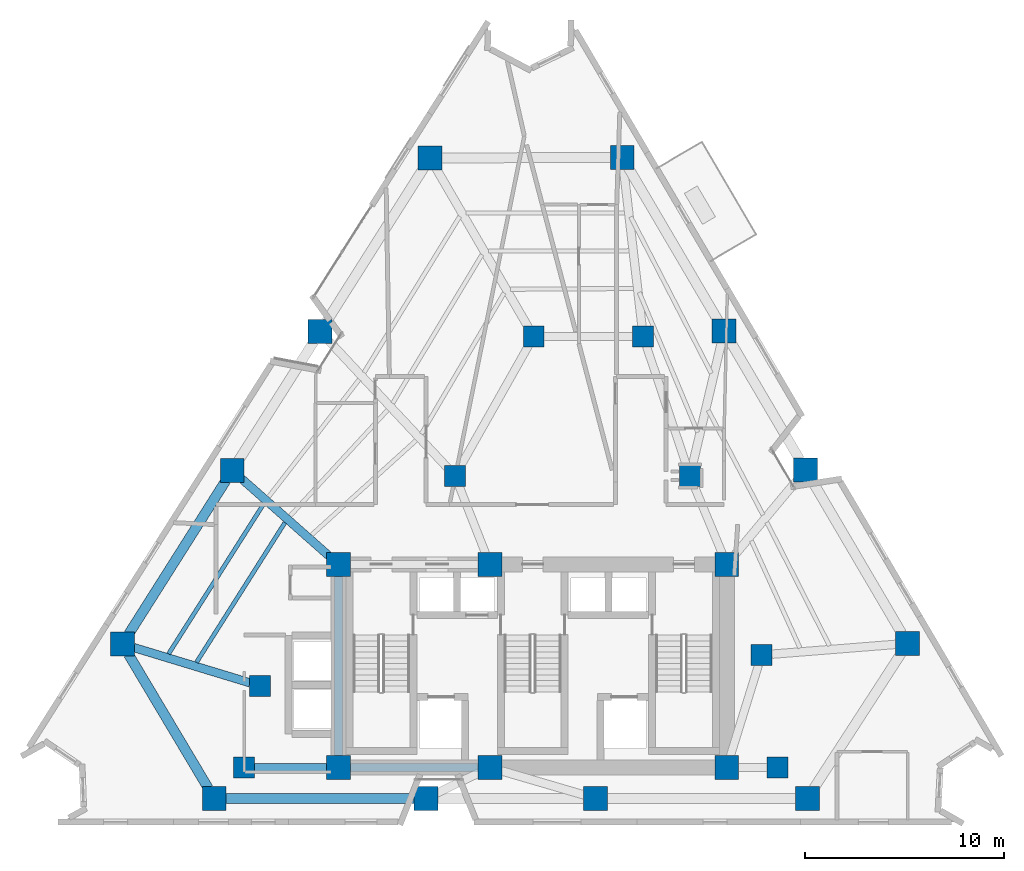
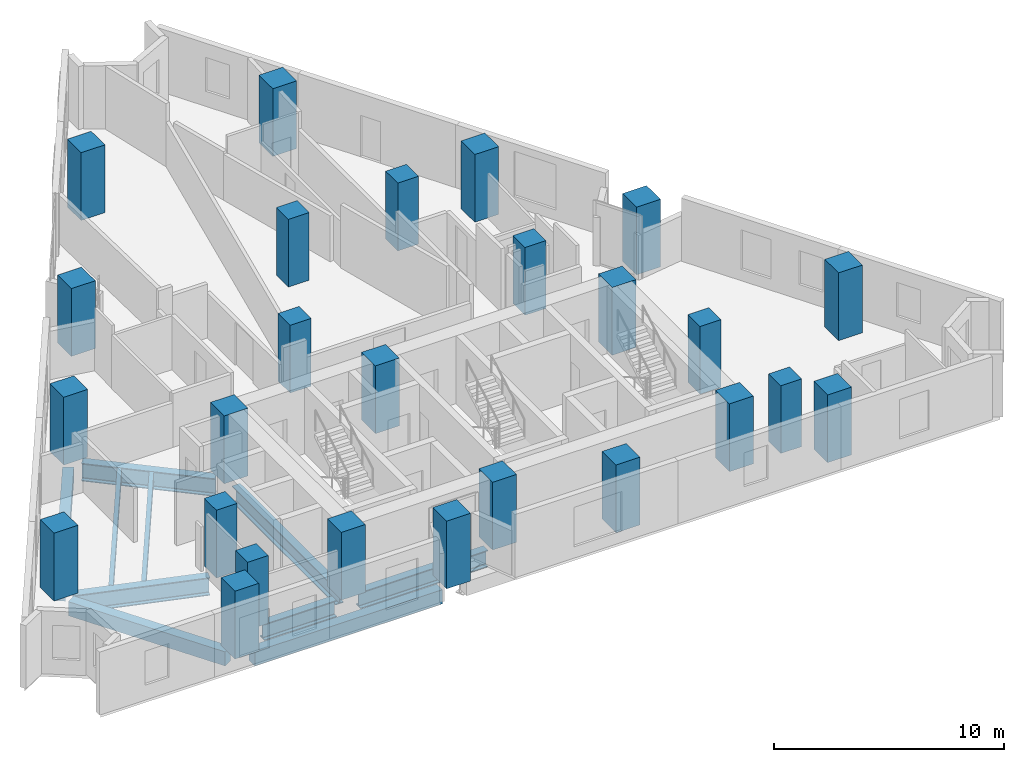
# One storey, part 1 of 11: 26 columns, 10 beams.
"""IFC4 building model written with IfcOpenShell, lengths in metres."""

from ifc_helpers import new_model, si_unit, direction, frame, origin, origin_2d, place, context, subcontext, project, spatial, rectangle, i_section, extrude, material, material_profile, profile_set, type_object, element, save


model = new_model("IFC4")

# Units and contexts
model_context = context("Model", 3, precision=1e-05, world=origin(), true_north=direction((0.0, 1.0)))
body_context = subcontext(model_context, "Body", "Model", "MODEL_VIEW")
ifc_project = project(units=[si_unit("LENGTHUNIT", "METRE"), si_unit("AREAUNIT", "SQUARE_METRE"), si_unit("VOLUMEUNIT", "CUBIC_METRE"), si_unit("PLANEANGLEUNIT", "RADIAN"), si_unit("MASSUNIT", "GRAM", prefix="KILO")], contexts=[model_context])

# Site, building, storey
site_placement = place(None, origin())
site = spatial("IfcSite", under=ifc_project, at=site_placement, CompositionType="ELEMENT")
building_placement = place(site_placement, origin())
building = spatial("IfcBuilding", under=site, at=building_placement, Name="Almagre Mirador Tower", CompositionType="ELEMENT")
storey_placement = place(building_placement, frame((0.0, 0.0, 124.800048828125)))
storey = spatial("IfcBuildingStorey", under=building, at=storey_placement, Name="L31", CompositionType="ELEMENT", Elevation=124.800048828125)

# Columns
ifc_material_1 = material(Name="Concrete C60/75", Category="concrete")
ifc_material_profile_1 = material_profile(ifc_material_1, rectangle(XDim=1.050048828125, YDim=1.050048828125, at=origin_2d()), Name="RC1050X1050")
ifc_profile_set_1 = profile_set([ifc_material_profile_1], Name="Concrete C60/75")
column_type_1 = type_object("IfcColumnType", Name="COL-RC1050", PredefinedType="COLUMN", material=ifc_profile_set_1)
for number, where, z_axis, x_axis, name in (
    (1, (22.800048828125, 4.550048828125, 0.0), (0.0, 0.0, 1.0), (1.0, 0.0, 0.0), "L31 interior transfer column MC1"),
    (2, (49.60009765625, 4.550048828125, 0.0), (0.0, 0.0, 1.0), (1.0, 0.0, 0.0), "L31 interior transfer column MC2"),
    (3, (48.800048828125, 10.199951171875, 0.0), (0.0, 0.0, 1.0), (1.0, 0.0, 0.0), "L31 interior transfer column MC3"),
    (4, (45.199951171875, 19.199951171875, 0.0), (0.0, 0.0, 1.0), (1.0, 0.0, 0.0), "L31 interior transfer column MC5"),
    (5, (42.85009765625, 26.199951171875, 0.0), (0.0, 0.0, 1.0), (1.0, 0.0, 0.0), "L31 interior transfer column MC6"),
    (6, (37.35009765625, 26.199951171875, 0.0), (0.0, 0.0, 1.0), (1.0, 0.0, 0.0), "L31 interior transfer column MC7"),
    (7, (33.39990234375, 19.199951171875, 0.0), (0.0, 0.0, 1.0), (1.0, 0.0, 0.0), "L31 interior transfer column MC8"),
    (8, (23.60009765625, 8.64990234375, 0.0), (0.0, 0.0, 1.0), (1.0, 0.0, 0.0), "L31 interior transfer column MC10"),
):
    element("IfcColumn", number, at=place(storey_placement, frame(where, z_axis=z_axis, x_axis=x_axis)), inside=storey, type_object=column_type_1, Name=name, PredefinedType="COLUMN", context=body_context, shape_type="SweptSolid", body=[
        extrude(rectangle(XDim=1.050048828125, YDim=1.050048828125, at=origin_2d()), origin(), (0.0, 0.0, 1.0), 3.599853515625),
    ])
ifc_material_2 = material(Name="Concrete C60/75", Category="concrete")
ifc_material_profile_2 = material_profile(ifc_material_2, rectangle(XDim=1.199951171875, YDim=1.199951171875, at=origin_2d()), Name="RC1200X1200")
ifc_profile_set_2 = profile_set([ifc_material_profile_2], Name="Concrete C60/75")
column_type_2 = type_object("IfcColumnType", Name="COL-RC1200", PredefinedType="COLUMN", material=ifc_profile_set_2)
for number, where, z_axis, x_axis, name in (
    (9, (27.550048828125, 4.550048828125, 0.0), (0.0, 0.0, 1.0), (1.0, 0.0, 0.0), "L31 core spine column CC1"),
    (10, (35.14990234375, 4.550048828125, 0.0), (0.0, 0.0, 1.0), (1.0, 0.0, 0.0), "L31 core spine column CC2"),
    (11, (47.050048828125, 4.550048828125, 0.0), (0.0, 0.0, 1.0), (1.0, 0.0, 0.0), "L31 core spine column CC3"),
    (12, (27.550048828125, 14.75, 0.0), (0.0, 0.0, 1.0), (1.0, 0.0, 0.0), "L31 core spine column CC4"),
    (13, (35.14990234375, 14.75, 0.0), (0.0, 0.0, 1.0), (1.0, 0.0, 0.0), "L31 core spine column CC5"),
    (14, (47.050048828125, 14.75, 0.0), (0.0, 0.0, 1.0), (1.0, 0.0, 0.0), "L31 core spine column CC6"),
    (15, (21.303955078125, 3.0, 0.0), (0.0, 0.0, 1.0), (1.0, 0.0, 0.0), "L31 perimeter column PC01"),
    (16, (31.944091796875, 3.0, 0.0), (0.0, 0.0, 1.0), (1.0, 0.0, 0.0), "L31 perimeter column PC02"),
    (17, (40.4560546875, 3.0, 0.0), (0.0, 0.0, 1.0), (1.0, 0.0, 0.0), "L31 perimeter column PC03"),
    (18, (51.095947265625, 3.0, 0.0), (0.0, 0.0, 1.0), (1.0, 0.0, 0.0), "L31 perimeter column PC04"),
    (19, (56.133056640625, 10.783935546875, 0.0), (0.0, 0.0, 1.0), (1.0, 0.0, 0.0), "L31 perimeter column PC05"),
    (20, (51.012939453125, 19.50390625, 0.0), (0.0, 0.0, 1.0), (1.0, 0.0, 0.0), "L31 perimeter column PC06"),
    (21, (46.9169921875, 26.47998046875, 0.0), (0.0, 0.0, 1.0), (1.0, 0.0, 0.0), "L31 perimeter column PC07"),
    (22, (41.797119140625, 35.199951171875, 0.0), (0.0, 0.0, 1.0), (1.0, 0.0, 0.0), "L31 perimeter column PC08"),
    (23, (32.14208984375, 35.166015625, 0.0), (0.0, 0.0, 1.0), (1.0, 0.0, 0.0), "L31 perimeter column PC09"),
    (24, (26.6220703125, 26.446044921875, 0.0), (0.0, 0.0, 1.0), (1.0, 0.0, 0.0), "L31 perimeter column PC10"),
    (25, (22.2060546875, 19.469970703125, 0.0), (0.0, 0.0, 1.0), (1.0, 0.0, 0.0), "L31 perimeter column PC11"),
    (26, (16.68603515625, 10.75, 0.0), (0.0, 0.0, 1.0), (1.0, 0.0, 0.0), "L31 perimeter column PC12"),
):
    element("IfcColumn", number, at=place(storey_placement, frame(where, z_axis=z_axis, x_axis=x_axis)), inside=storey, type_object=column_type_2, Name=name, PredefinedType="COLUMN", context=body_context, shape_type="SweptSolid", body=[
        extrude(rectangle(XDim=1.199951171875, YDim=1.199951171875, at=origin_2d()), origin(), (0.0, 0.0, 1.0), 3.599853515625),
    ])

# Beams
ifc_material_3 = material(Name="Steel ASTM A992 Grade 50", Category="steel")
ifc_material_profile_3 = material_profile(ifc_material_3, i_section(OverallWidth=0.208984375, OverallDepth=0.532958984375, WebThickness=0.01025390625, FlangeThickness=0.015625, FilletRadius=0.01806640625, at=origin_2d()), Name="W21X62")
ifc_profile_set_3 = profile_set([ifc_material_profile_3], Name="Steel ASTM A992 Grade 50")
beam_type_1 = type_object("IfcBeamType", Name="BM-JST-W21X62", PredefinedType="JOIST", material=ifc_profile_set_3)
beam_1_placement = place(storey_placement, frame((23.786865234375, 17.794921875, -0.5166015625), z_axis=(-0.535495866199, -0.844537848343, 0.0), x_axis=(0.844537848343, -0.535495866199, 0.0)))
element("IfcBeam", 27, at=beam_1_placement, inside=storey, type_object=beam_type_1, Name="L31 secondary floor joist PC11-PC12.1", PredefinedType="JOIST", context=body_context, shape_type="SweptSolid", body=[
    extrude(i_section(OverallWidth=0.208984375, OverallDepth=0.532958984375, WebThickness=0.01025390625, FlangeThickness=0.015625, FilletRadius=0.01806640625, at=origin_2d()), origin(), (0.0, 0.0, 1.0), 8.924560546875),
])
beam_2_placement = place(storey_placement, frame((24.853759765625, 16.852783203125, -0.5166015625), z_axis=(-0.534944431022, -0.844887244382, 0.0), x_axis=(0.844887244382, -0.534944431022, 0.0)))
element("IfcBeam", 28, at=beam_2_placement, inside=storey, type_object=beam_type_1, Name="L31 secondary floor joist PC11-PC12.2", PredefinedType="JOIST", context=body_context, shape_type="SweptSolid", body=[
    extrude(i_section(OverallWidth=0.208984375, OverallDepth=0.532958984375, WebThickness=0.01025390625, FlangeThickness=0.015625, FilletRadius=0.01806640625, at=origin_2d()), origin(), (0.0, 0.0, 1.0), 8.309326171875),
])
ifc_material_4 = material(Name="Precast concrete C50/60", Category="concrete")
ifc_material_profile_4 = material_profile(ifc_material_4, rectangle(XDim=0.5, YDim=0.75, at=origin_2d()), Name="RC500X750")
ifc_profile_set_4 = profile_set([ifc_material_profile_4], Name="Precast concrete C50/60")
beam_type_2 = type_object("IfcBeamType", Name="BM-SPN-RC500X750", PredefinedType="SPANDREL", material=ifc_profile_set_4)
beam_3_placement = place(storey_placement, frame((21.904052734375, 3.0, -0.625), z_axis=(1.0, 0.0, 0.0), x_axis=(0.0, 1.0, 0.0)))
element("IfcBeam", 29, at=beam_3_placement, inside=storey, type_object=beam_type_2, Name="L31 perimeter spandrel beam PC01-PC02", PredefinedType="SPANDREL", context=body_context, shape_type="SweptSolid", body=[
    extrude(rectangle(XDim=0.5, YDim=0.75, at=origin_2d()), origin(), (0.0, 0.0, 1.0), 9.43994140625),
])
beam_4_placement = place(storey_placement, frame((21.885009765625, 18.962890625, -0.625), z_axis=(-0.534882027559, -0.844926752207, 0.0), x_axis=(0.844926752207, -0.534882027559, 0.0)))
element("IfcBeam", 30, at=beam_4_placement, inside=storey, type_object=beam_type_2, Name="L31 perimeter spandrel beam PC11-PC12", PredefinedType="SPANDREL", context=body_context, shape_type="SweptSolid", body=[
    extrude(rectangle(XDim=0.5, YDim=0.75, at=origin_2d()), origin(), (0.0, 0.0, 1.0), 9.1201171875),
])
beam_5_placement = place(storey_placement, frame((16.9931640625, 10.234619140625, -0.625), z_axis=(0.511872325073, -0.85906153611, 0.0), x_axis=(0.85906153611, 0.511872325073, 0.0)))
element("IfcBeam", 31, at=beam_5_placement, inside=storey, type_object=beam_type_2, Name="L31 perimeter spandrel beam PC12-PC01", PredefinedType="SPANDREL", context=body_context, shape_type="SweptSolid", body=[
    extrude(rectangle(XDim=0.5, YDim=0.75, at=origin_2d()), origin(), (0.0, 0.0, 1.0), 7.821533203125),
])
ifc_material_5 = material(Name="Steel ASTM A992 Grade 50", Category="steel")
ifc_material_profile_5 = material_profile(ifc_material_5, i_section(OverallWidth=0.404052734375, OverallDepth=0.884033203125, WebThickness=0.0244140625, FlangeThickness=0.0439453125, FilletRadius=0.02490234375, at=origin_2d()), Name="W33X291")
ifc_profile_set_5 = profile_set([ifc_material_profile_5], Name="Steel ASTM A992 Grade 50")
beam_type_3 = type_object("IfcBeamType", Name="BM-STL-W33X291", PredefinedType="BEAM", material=ifc_profile_set_5)
beam_6_placement = place(storey_placement, frame((28.14990234375, 4.550048828125, -0.692138671875), z_axis=(1.0, 0.0, 0.0), x_axis=(0.0, 1.0, 0.0)))
element("IfcBeam", 32, at=beam_6_placement, inside=storey, type_object=beam_type_3, Name="L31 core tie girder CC1-CC2", PredefinedType="BEAM", context=body_context, shape_type="SweptSolid", body=[
    extrude(i_section(OverallWidth=0.404052734375, OverallDepth=0.884033203125, WebThickness=0.0244140625, FlangeThickness=0.0439453125, FilletRadius=0.02490234375, at=origin_2d()), origin(), (0.0, 0.0, 1.0), 6.400146484375),
])
beam_7_placement = place(storey_placement, frame((27.550048828125, 5.14990234375, -0.692138671875), z_axis=(0.0, 1.0, 0.0), x_axis=(-1.0, 0.0, 0.0)))
element("IfcBeam", 33, at=beam_7_placement, inside=storey, type_object=beam_type_3, Name="L31 core tie girder CC1-CC4", PredefinedType="BEAM", context=body_context, shape_type="SweptSolid", body=[
    extrude(i_section(OverallWidth=0.404052734375, OverallDepth=0.884033203125, WebThickness=0.0244140625, FlangeThickness=0.0439453125, FilletRadius=0.02490234375, at=origin_2d()), origin(), (0.0, 0.0, 1.0), 9.0),
])
beam_8_placement = place(storey_placement, frame((23.324951171875, 4.550048828125, -0.692138671875), z_axis=(1.0, 0.0, 0.0), x_axis=(0.0, 1.0, 0.0)))
element("IfcBeam", 34, at=beam_8_placement, inside=storey, type_object=beam_type_3, Name="L31 core tie girder MC1-CC1", PredefinedType="BEAM", context=body_context, shape_type="SweptSolid", body=[
    extrude(i_section(OverallWidth=0.404052734375, OverallDepth=0.884033203125, WebThickness=0.0244140625, FlangeThickness=0.0439453125, FilletRadius=0.02490234375, at=origin_2d()), origin(), (0.0, 0.0, 1.0), 3.625),
])
ifc_material_6 = material(Name="Steel ASTM A992 Grade 50", Category="steel")
ifc_material_profile_6 = material_profile(ifc_material_6, i_section(OverallWidth=0.423095703125, OverallDepth=0.947998046875, WebThickness=0.02392578125, FlangeThickness=0.042724609375, FilletRadius=0.028076171875, at=origin_2d()), Name="W36X302")
ifc_profile_set_6 = profile_set([ifc_material_profile_6], Name="Steel ASTM A992 Grade 50")
beam_type_4 = type_object("IfcBeamType", Name="BM-STL-W36X302", PredefinedType="BEAM", material=ifc_profile_set_6)
beam_9_placement = place(storey_placement, frame((22.65576171875, 19.07275390625, -0.72412109375), z_axis=(0.749515768673, -0.661986489673, 0.0), x_axis=(0.661986489673, 0.749515768673, 0.0)))
element("IfcBeam", 35, at=beam_9_placement, inside=storey, type_object=beam_type_4, Name="L31 radial floor girder PC11-CC4", PredefinedType="BEAM", context=body_context, shape_type="SweptSolid", body=[
    extrude(i_section(OverallWidth=0.423095703125, OverallDepth=0.947998046875, WebThickness=0.02392578125, FlangeThickness=0.042724609375, FilletRadius=0.028076171875, at=origin_2d()), origin(), (0.0, 0.0, 1.0), 5.929931640625),
])
beam_10_placement = place(storey_placement, frame((17.260009765625, 10.57568359375, -0.72412109375), z_axis=(0.95683269583, -0.290639281913, 0.0), x_axis=(0.290639281913, 0.95683269583, 0.0)))
element("IfcBeam", 36, at=beam_10_placement, inside=storey, type_object=beam_type_4, Name="L31 radial floor girder PC12-MC10", PredefinedType="BEAM", context=body_context, shape_type="SweptSolid", body=[
    extrude(i_section(OverallWidth=0.423095703125, OverallDepth=0.947998046875, WebThickness=0.02392578125, FlangeThickness=0.042724609375, FilletRadius=0.028076171875, at=origin_2d()), origin(), (0.0, 0.0, 1.0), 6.10107421875),
])

save(model, "model.ifc")
